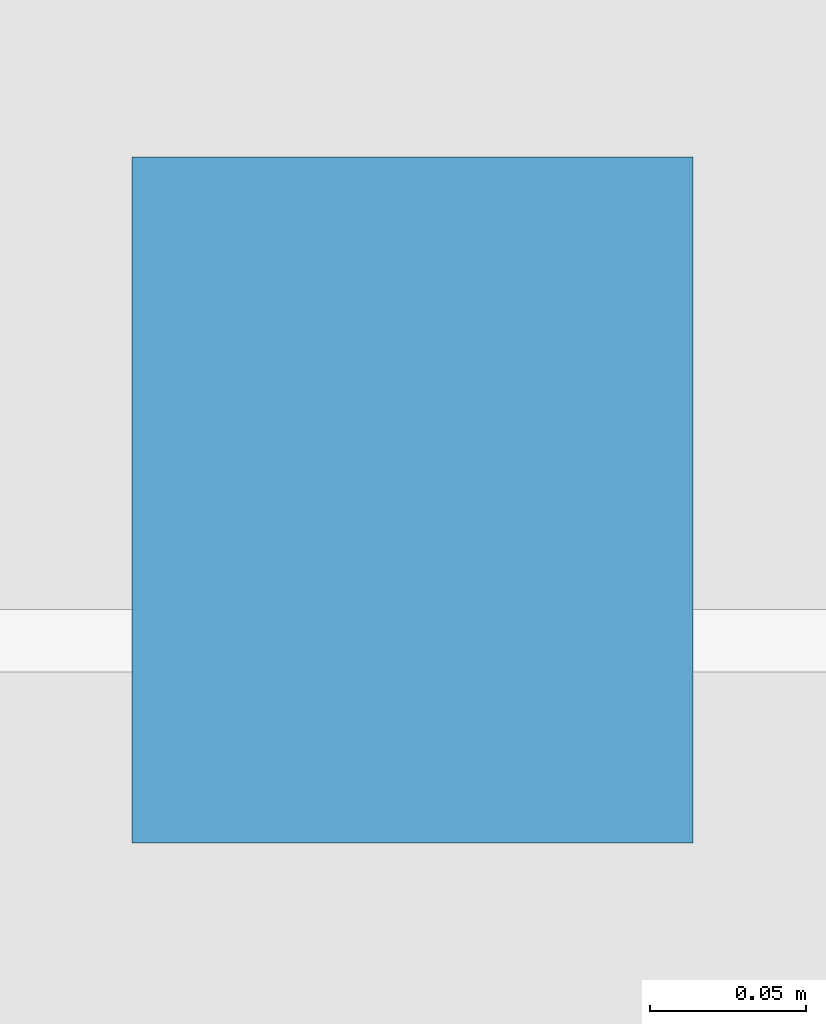
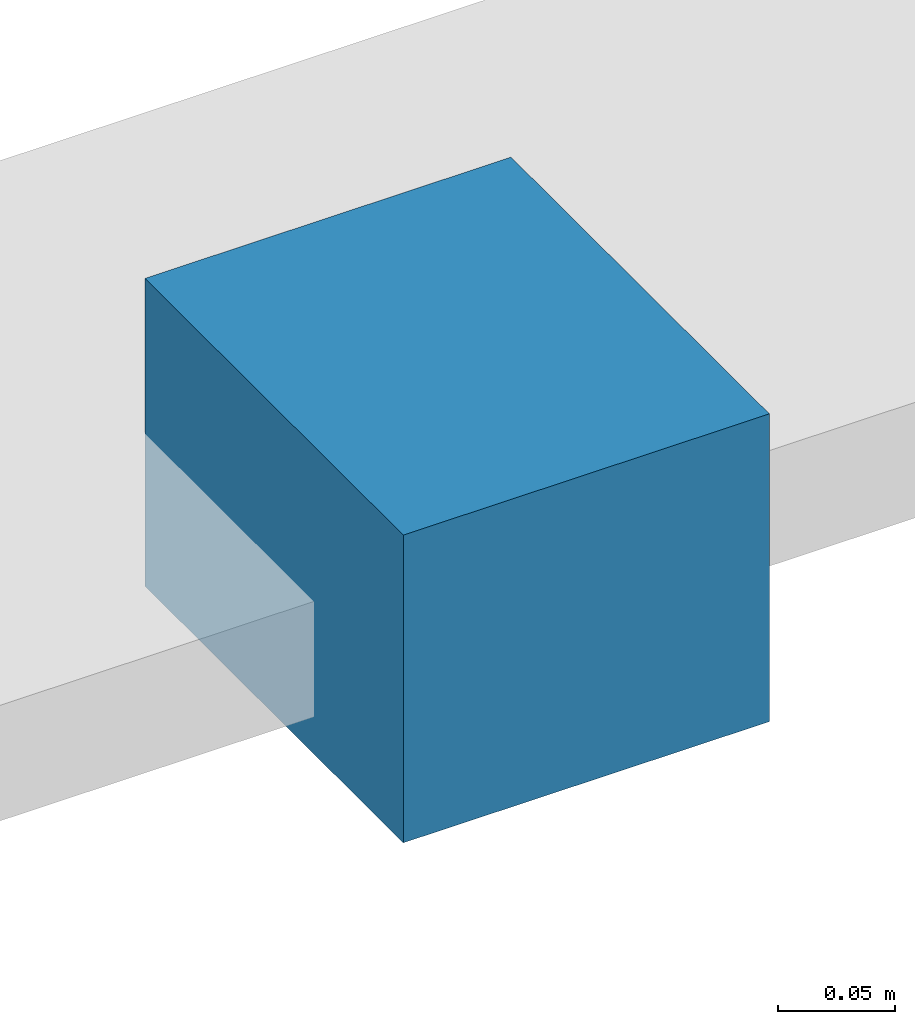
# One storey, part 58 of 73: 1 discrete accessory.
"""IFC4 building model written with IfcOpenShell, lengths in metres."""

from ifc_helpers import new_model, si_unit, direction, frame, origin, origin_2d, place, context, subcontext, project, spatial, rectangle, extrude, material, type_object, element, save


model = new_model("IFC4")

# Units and contexts
model_context = context("Model", 3, precision=1e-05, world=origin(), true_north=direction((0.0, 1.0)))
body_context = subcontext(model_context, "Body", "Model", "MODEL_VIEW")
ifc_project = project(units=[si_unit("LENGTHUNIT", "METRE"), si_unit("AREAUNIT", "SQUARE_METRE"), si_unit("VOLUMEUNIT", "CUBIC_METRE"), si_unit("PLANEANGLEUNIT", "RADIAN"), si_unit("MASSUNIT", "GRAM", prefix="KILO")], contexts=[model_context])

# Site, building, storey
site_placement = place(None, origin())
site = spatial("IfcSite", under=ifc_project, at=site_placement, CompositionType="ELEMENT")
building_placement = place(site_placement, origin())
building = spatial("IfcBuilding", under=site, at=building_placement, Name="Suanplinth Sawtooth Commons", CompositionType="ELEMENT")
storey_placement = place(building_placement, frame((0.0, 0.0, 21.89990234375)))
storey = spatial("IfcBuildingStorey", under=building, at=storey_placement, Name="L06", CompositionType="ELEMENT", Elevation=21.89990234375)

# Discrete accessory
ifc_material = material(Name="Stainless steel Grade 316", Category="steel")
discrete_accessory_type = type_object("IfcDiscreteAccessoryType", Name="ACC-01", PredefinedType="BRACKET", material=ifc_material)
discrete_accessory_placement = place(storey_placement, frame((159.300048828125, 124.10009765625, 2.89990234375), z_axis=(0.0, 0.0, 1.0), x_axis=(1.0, 0.0, 0.0)))
element("IfcDiscreteAccessory", 1, at=discrete_accessory_placement, inside=storey, type_object=discrete_accessory_type, Name="Louvre Fixing Bracket L06-B-1", PredefinedType="BRACKET", context=body_context, shape_type="SweptSolid", body=[
    extrude(rectangle(XDim=0.179931640625, YDim=0.219970703125, at=origin_2d()), origin(), (0.0, 0.0, 1.0), 0.159912109375),
])

save(model, "model.ifc")
